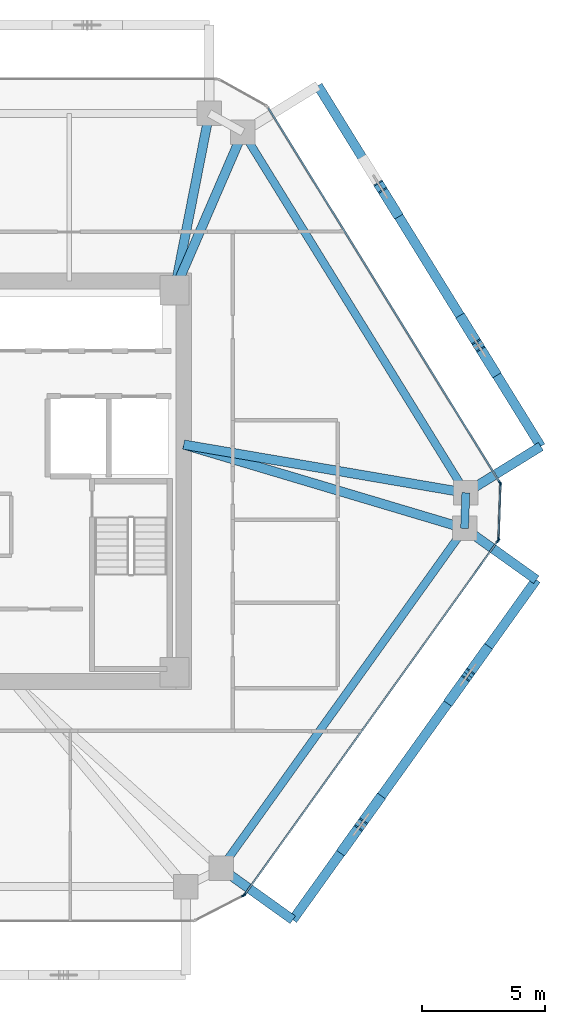
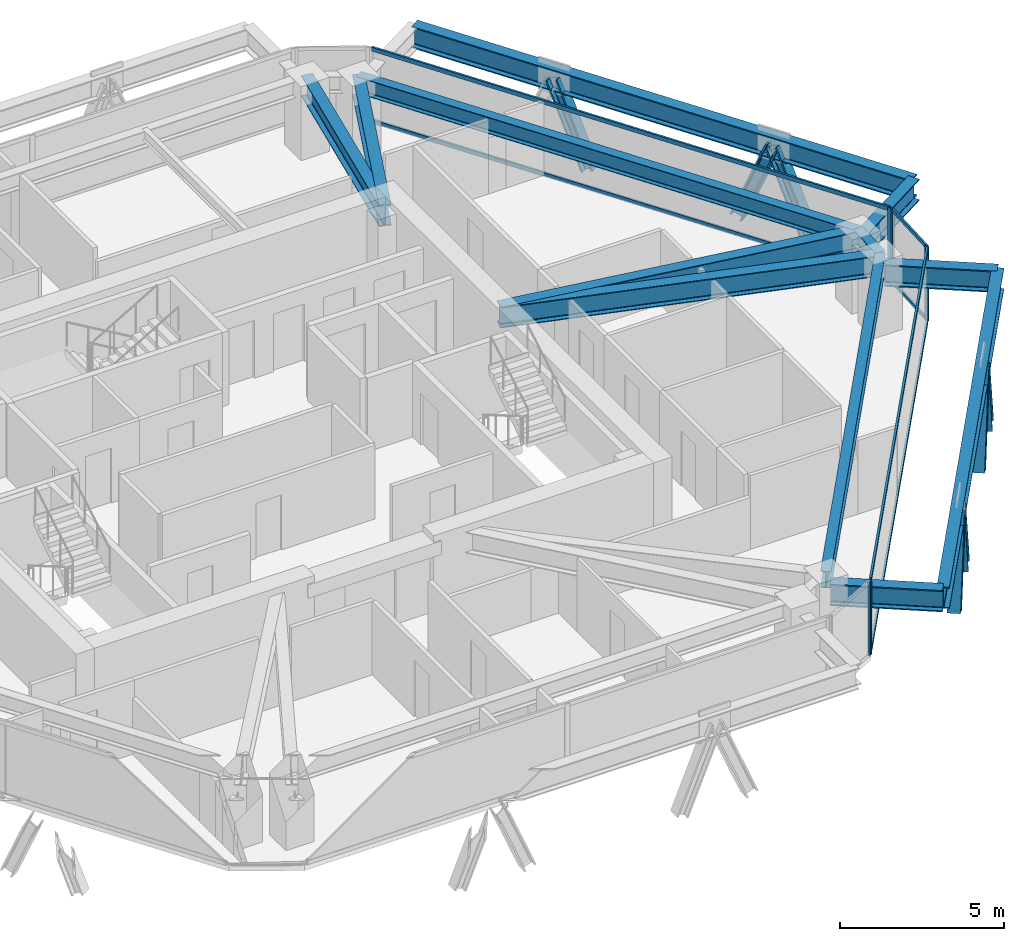
# One storey, part 5 of 14: 19 members, 12 beams, 4 elements without a shape of their own.
"""IFC4 building model written with IfcOpenShell, lengths in metres."""

from ifc_helpers import new_model, si_unit, direction, frame, origin, origin_2d, place, context, subcontext, project, spatial, rectangle, i_section, extrude, source, transform, mapped, material, layer, layer_set, material_profile, profile_set, type_object, type_shapes, element, aggregate, save


model = new_model("IFC4")

# Units and contexts
model_context = context("Model", 3, precision=1e-05, world=origin(), true_north=direction((0.0, 1.0)))
body_context = subcontext(model_context, "Body", "Model", "MODEL_VIEW")
ifc_project = project(units=[si_unit("LENGTHUNIT", "METRE"), si_unit("AREAUNIT", "SQUARE_METRE"), si_unit("VOLUMEUNIT", "CUBIC_METRE"), si_unit("PLANEANGLEUNIT", "RADIAN"), si_unit("MASSUNIT", "GRAM", prefix="KILO")], contexts=[model_context])

# Site, building, storey
site_placement = place(None, origin())
site = spatial("IfcSite", under=ifc_project, at=site_placement, CompositionType="ELEMENT")
building_placement = place(site_placement, origin())
building = spatial("IfcBuilding", under=site, at=building_placement, Name="Durnholm Broadcast Tower", CompositionType="ELEMENT")
storey_placement = place(building_placement, frame((0.0, 0.0, 200.199951171875)))
storey = spatial("IfcBuildingStorey", under=building, at=storey_placement, Name="L55", CompositionType="ELEMENT", Elevation=200.199951171875)

# Beams
ifc_material_1 = material(Name="Steel ASTM A992 Grade 50", Category="steel")
ifc_material_profile_1 = material_profile(ifc_material_1, i_section(OverallWidth=0.385009765625, OverallDepth=0.802978515625, WebThickness=0.023681640625, FlangeThickness=0.0419921875, FilletRadius=0.032958984375, at=origin_2d()), Name="W30X261")
ifc_profile_set_1 = profile_set([ifc_material_profile_1], Name="Steel ASTM A992 Grade 50")
beam_type_1 = type_object("IfcBeamType", Name="BM-EXO-TIE", PredefinedType="USERDEFINED", material=ifc_profile_set_1)
shared_shape_1 = source(origin(), body_context, "Body", "SweptSolid", [
    extrude(i_section(OverallWidth=0.385009765625, OverallDepth=0.802978515625, WebThickness=0.023681640625, FlangeThickness=0.0419921875, FilletRadius=0.032958984375, at=origin_2d()), origin(), (0.0, 0.0, 1.0), 3.4560546875),
])
for number, where, z_axis, x_axis, name in (
    (1, (11.81689453125, -15.884033203125, 2.008544921875), (0.813079048773, -0.582153296346, 0.0), (0.582153296346, 0.813079048773, 0.0), "L55 exoskeleton stand-off tie bracket F2.1"),
    (2, (21.7548828125, -2.00341796875, 2.008544921875), (0.813079048773, -0.582153296346, 0.0), (0.582153296346, 0.813079048773, 0.0), "L55 exoskeleton stand-off tie bracket F2.2"),
    (3, (21.8095703125, -0.3916015625, 2.008544921875), (0.850662348375, 0.525712439512, 0.0), (-0.525712439512, 0.850662348375, 0.0), "L55 exoskeleton stand-off tie bracket F3.1"),
):
    element("IfcBeam", number, at=place(storey_placement, frame(where, z_axis=z_axis, x_axis=x_axis)), inside=storey, type_object=beam_type_1, Name=name, ObjectType="GIRDER", PredefinedType="USERDEFINED", context=body_context, shape_type="MappedRepresentation", body=[
        mapped(shared_shape_1, transform((0.0, 0.0, 0.0), x_axis=(1.0, 0.0, 0.0), y_axis=(0.0, 1.0, 0.0), z_axis=(0.0, 0.0, 1.0), scale=1.0)),
    ])
ifc_material_profile_2 = material_profile(ifc_material_1, i_section(OverallWidth=0.3251953125, OverallDepth=0.6162109375, WebThickness=0.013916015625, FlangeThickness=0.021484375, FilletRadius=0.02783203125, at=origin_2d()), Name="W24X117")
ifc_profile_set_2 = profile_set([ifc_material_profile_2], Name="Steel ASTM A992 Grade 50")
beam_type_2 = type_object("IfcBeamType", Name="STL-SP-W24X117", PredefinedType="SPANDREL", material=ifc_profile_set_2)
shared_shape_2 = source(origin(), body_context, "Body", "SweptSolid", [
    extrude(i_section(OverallWidth=0.3251953125, OverallDepth=0.6162109375, WebThickness=0.013916015625, FlangeThickness=0.021484375, FilletRadius=0.02783203125, at=origin_2d()), origin(), (0.0, 0.0, 1.0), 17.30322265625),
])
beam_1_placement = place(storey_placement, frame((12.5908203125, 14.252197265625, 2.43701171875), z_axis=(0.525691424148, -0.850675335588, 0.0), x_axis=(0.850675335588, 0.525691424148, 0.0)))
element("IfcBeam", 4, at=beam_1_placement, inside=storey, type_object=beam_type_2, Name="L55 perimeter spandrel girder 07", PredefinedType="SPANDREL", context=body_context, shape_type="MappedRepresentation", body=[
    mapped(shared_shape_2, transform((0.0, 0.0, 0.0), x_axis=(1.0, 0.0, 0.0), y_axis=(0.0, 1.0, 0.0), z_axis=(0.0, 0.0, 1.0), scale=1.0)),
])
shared_shape_3 = source(origin(), body_context, "Body", "SweptSolid", [
    extrude(i_section(OverallWidth=0.3251953125, OverallDepth=0.6162109375, WebThickness=0.013916015625, FlangeThickness=0.021484375, FilletRadius=0.02783203125, at=origin_2d()), origin(), (0.0, 0.0, 1.0), 1.453125),
])
beam_2_placement = place(storey_placement, frame((21.68701171875, -0.46728515625, 2.43701171875), z_axis=(-0.033767922326, -0.99942970109, 0.0), x_axis=(0.99942970109, -0.033767922326, 0.0)))
element("IfcBeam", 5, at=beam_2_placement, inside=storey, type_object=beam_type_2, Name="L55 perimeter spandrel girder 08", PredefinedType="SPANDREL", context=body_context, shape_type="MappedRepresentation", body=[
    mapped(shared_shape_3, transform((0.0, 0.0, 0.0), x_axis=(1.0, 0.0, 0.0), y_axis=(0.0, 1.0, 0.0), z_axis=(0.0, 0.0, 1.0), scale=1.0)),
])
shared_shape_4 = source(origin(), body_context, "Body", "SweptSolid", [
    extrude(i_section(OverallWidth=0.3251953125, OverallDepth=0.6162109375, WebThickness=0.013916015625, FlangeThickness=0.021484375, FilletRadius=0.02783203125, at=origin_2d()), origin(), (0.0, 0.0, 1.0), 17.071533203125),
])
type_shapes(beam_type_2, [shared_shape_2, shared_shape_3, shared_shape_4])
beam_3_placement = place(storey_placement, frame((21.637939453125, -1.919677734375, 2.43701171875), z_axis=(-0.582149612352, -0.813081686449, 0.0), x_axis=(0.813081686449, -0.582149612352, 0.0)))
element("IfcBeam", 6, at=beam_3_placement, inside=storey, type_object=beam_type_2, Name="L55 perimeter spandrel girder 09", PredefinedType="SPANDREL", context=body_context, shape_type="MappedRepresentation", body=[
    mapped(shared_shape_4, transform((0.0, 0.0, 0.0), x_axis=(1.0, 0.0, 0.0), y_axis=(0.0, 1.0, 0.0), z_axis=(0.0, 0.0, 1.0), scale=1.0)),
])
ifc_material_profile_3 = material_profile(ifc_material_1, i_section(OverallWidth=0.380615234375, OverallDepth=0.773193359375, WebThickness=0.0166015625, FlangeThickness=0.027099609375, FilletRadius=0.032958984375, at=origin_2d()), Name="W30X173")
ifc_profile_set_3 = profile_set([ifc_material_profile_3], Name="Steel ASTM A992 Grade 50")
beam_type_3 = type_object("IfcBeamType", Name="STL-GR-W30X173", PredefinedType="USERDEFINED", material=ifc_profile_set_3)
shared_shape_5 = source(origin(), body_context, "Body", "SweptSolid", [
    extrude(i_section(OverallWidth=0.380615234375, OverallDepth=0.773193359375, WebThickness=0.0166015625, FlangeThickness=0.027099609375, FilletRadius=0.032958984375, at=origin_2d()), origin(), (0.0, 0.0, 1.0), 7.35595703125),
])
beam_4_placement = place(storey_placement, frame((9.800048828125, 7.800048828125, 2.3583984375), z_axis=(0.192700221893, 0.981257674865, 0.0), x_axis=(-0.981257674865, 0.192700221893, 0.0)))
element("IfcBeam", 7, at=beam_4_placement, inside=storey, type_object=beam_type_3, Name="L55 radial primary floor girder 06", ObjectType="GIRDER", PredefinedType="USERDEFINED", context=body_context, shape_type="MappedRepresentation", body=[
    mapped(shared_shape_5, transform((0.0, 0.0, 0.0), x_axis=(1.0, 0.0, 0.0), y_axis=(0.0, 1.0, 0.0), z_axis=(0.0, 0.0, 1.0), scale=1.0)),
])
shared_shape_6 = source(origin(), body_context, "Body", "SweptSolid", [
    extrude(i_section(OverallWidth=0.380615234375, OverallDepth=0.773193359375, WebThickness=0.0166015625, FlangeThickness=0.027099609375, FilletRadius=0.032958984375, at=origin_2d()), origin(), (0.0, 0.0, 1.0), 7.02978515625),
])
beam_5_placement = place(storey_placement, frame((9.800048828125, 7.800048828125, 2.3583984375), z_axis=(0.396989434191, 0.91782317967, 0.0), x_axis=(-0.91782317967, 0.396989434191, 0.0)))
element("IfcBeam", 8, at=beam_5_placement, inside=storey, type_object=beam_type_3, Name="L55 radial primary floor girder 07", ObjectType="GIRDER", PredefinedType="USERDEFINED", context=body_context, shape_type="MappedRepresentation", body=[
    mapped(shared_shape_6, transform((0.0, 0.0, 0.0), x_axis=(1.0, 0.0, 0.0), y_axis=(0.0, 1.0, 0.0), z_axis=(0.0, 0.0, 1.0), scale=1.0)),
])
shared_shape_7 = source(origin(), body_context, "Body", "SweptSolid", [
    extrude(i_section(OverallWidth=0.385009765625, OverallDepth=0.802978515625, WebThickness=0.023681640625, FlangeThickness=0.0419921875, FilletRadius=0.032958984375, at=origin_2d()), origin(), (0.0, 0.0, 1.0), 17.071533203125),
])
beam_6_placement = place(storey_placement, frame((14.626953125, -17.89599609375, 2.008544921875), z_axis=(0.582140157836, 0.813088455603, 0.0), x_axis=(-0.813088455603, 0.582140157836, 0.0)))
element("IfcBeam", 9, at=beam_6_placement, inside=storey, type_object=beam_type_1, Name="L55 exoskeleton collector spandrel F2", PredefinedType="SPANDREL", context=body_context, shape_type="MappedRepresentation", body=[
    mapped(shared_shape_7, transform((0.0, 0.0, 0.0), x_axis=(1.0, 0.0, 0.0), y_axis=(0.0, 1.0, 0.0), z_axis=(0.0, 0.0, 1.0), scale=1.0)),
])
shared_shape_8 = source(origin(), body_context, "Body", "SweptSolid", [
    extrude(i_section(OverallWidth=0.385009765625, OverallDepth=0.802978515625, WebThickness=0.023681640625, FlangeThickness=0.0419921875, FilletRadius=0.032958984375, at=origin_2d()), origin(), (0.0, 0.0, 1.0), 17.303466796875),
])
type_shapes(beam_type_1, [shared_shape_1, shared_shape_7, shared_shape_8])
beam_7_placement = place(storey_placement, frame((24.74951171875, 1.42529296875, 2.008544921875), z_axis=(-0.525701634347, 0.850669025911, 0.0), x_axis=(-0.850669025911, -0.525701634347, 0.0)))
element("IfcBeam", 10, at=beam_7_placement, inside=storey, type_object=beam_type_1, Name="L55 exoskeleton collector spandrel F3", PredefinedType="SPANDREL", context=body_context, shape_type="MappedRepresentation", body=[
    mapped(shared_shape_8, transform((0.0, 0.0, 0.0), x_axis=(1.0, 0.0, 0.0), y_axis=(0.0, 1.0, 0.0), z_axis=(0.0, 0.0, 1.0), scale=1.0)),
])
shared_shape_9 = source(origin(), body_context, "Body", "SweptSolid", [
    extrude(i_section(OverallWidth=0.380615234375, OverallDepth=0.773193359375, WebThickness=0.0166015625, FlangeThickness=0.027099609375, FilletRadius=0.032958984375, at=origin_2d()), origin(), (0.0, 0.0, 1.0), 11.678955078125),
])
beam_8_placement = place(storey_placement, frame((10.175048828125, 1.5, 2.3583984375), z_axis=(0.985710446264, -0.168448556317, 0.0), x_axis=(0.168448556317, 0.985710446264, 0.0)))
element("IfcBeam", 11, at=beam_8_placement, inside=storey, type_object=beam_type_3, Name="L55 radial primary floor girder 08", ObjectType="GIRDER", PredefinedType="USERDEFINED", context=body_context, shape_type="MappedRepresentation", body=[
    mapped(shared_shape_9, transform((0.0, 0.0, 0.0), x_axis=(1.0, 0.0, 0.0), y_axis=(0.0, 1.0, 0.0), z_axis=(0.0, 0.0, 1.0), scale=1.0)),
])
shared_shape_10 = source(origin(), body_context, "Body", "SweptSolid", [
    extrude(i_section(OverallWidth=0.380615234375, OverallDepth=0.773193359375, WebThickness=0.0166015625, FlangeThickness=0.027099609375, FilletRadius=0.032958984375, at=origin_2d()), origin(), (0.0, 0.0, 1.0), 11.962158203125),
])
type_shapes(beam_type_3, [shared_shape_5, shared_shape_6, shared_shape_9, shared_shape_10])
beam_9_placement = place(storey_placement, frame((10.175048828125, 1.5, 2.3583984375), z_axis=(0.958266673737, -0.285875815706, 0.0), x_axis=(0.285875815706, 0.958266673737, 0.0)))
element("IfcBeam", 12, at=beam_9_placement, inside=storey, type_object=beam_type_3, Name="L55 radial primary floor girder 09", ObjectType="GIRDER", PredefinedType="USERDEFINED", context=body_context, shape_type="MappedRepresentation", body=[
    mapped(shared_shape_10, transform((0.0, 0.0, 0.0), x_axis=(1.0, 0.0, 0.0), y_axis=(0.0, 1.0, 0.0), z_axis=(0.0, 0.0, 1.0), scale=1.0)),
])

# Members
ifc_material_2 = material(Name="Steel ASTM A913 Grade 65", Category="steel")
ifc_material_profile_4 = material_profile(ifc_material_2, i_section(OverallWidth=0.412109375, OverallDepth=0.434814453125, WebThickness=0.035888671875, FlangeThickness=0.057373046875, FilletRadius=0.030517578125, at=origin_2d()), Name="W14X311")
ifc_profile_set_4 = profile_set([ifc_material_profile_4], Name="Steel ASTM A913 Grade 65")
member_type_1 = type_object("IfcMemberType", Name="STL-DG-W14X311", PredefinedType="BRACE", material=ifc_profile_set_4)
shared_shape_11 = source(origin(), body_context, "Body", "SweptSolid", [
    extrude(i_section(OverallWidth=0.412109375, OverallDepth=0.434814453125, WebThickness=0.035888671875, FlangeThickness=0.057373046875, FilletRadius=0.030517578125, at=origin_2d()), origin(), (0.0, 0.0, 1.0), 3.24365234375),
])
for number, where, z_axis, x_axis, name in (
    (13, (22.50048828125, -6.898681640625, -0.991455078125), (-0.22135424125, -0.309263712104, 0.924855802953), (0.813171482985, -0.58202417412, 0.0), "L55 stand-off diagrid brace F2.D2.2"),
    (14, (21.553955078125, 6.59619140625, -0.991455078125), (0.199907251286, -0.323494490221, 0.924872102336), (0.85067825406, 0.525686701439, 0.0), "L55 stand-off diagrid brace F3.D1.2"),
    (15, (18.8486328125, 10.973876953125, -0.991455078125), (-0.199907251286, 0.323494490221, 0.924872102336), (-0.85067825406, -0.525686701439, 0.0), "L55 stand-off diagrid brace F3.D2.1"),
):
    element("IfcMember", number, at=place(storey_placement, frame(where, z_axis=z_axis, x_axis=x_axis)), inside=storey, type_object=member_type_1, Name=name, PredefinedType="BRACE", context=body_context, shape_type="MappedRepresentation", body=[
        mapped(shared_shape_11, transform((0.0, 0.0, 0.0), x_axis=(1.0, 0.0, 0.0), y_axis=(0.0, 1.0, 0.0), z_axis=(0.0, 0.0, 1.0), scale=1.0)),
    ])
shared_shape_12 = source(origin(), body_context, "Body", "SweptSolid", [
    extrude(i_section(OverallWidth=0.412109375, OverallDepth=0.434814453125, WebThickness=0.035888671875, FlangeThickness=0.057373046875, FilletRadius=0.030517578125, at=origin_2d()), origin(), (0.0, 0.0, 1.0), 3.243896484375),
])
type_shapes(member_type_1, [shared_shape_11, shared_shape_12])
for number, where, z_axis, x_axis, name in (
    (16, (16.69140625, -15.0126953125, -0.991455078125), (0.22142581661, 0.309258558956, 0.92484039242), (-0.813077820009, 0.582155012526, 0.0), "L55 stand-off diagrid brace F2.D1.1"),
    (17, (18.1279296875, -13.00634765625, -0.991455078125), (-0.22142581661, -0.309258558956, 0.92484039242), (0.813077820009, -0.582155012526, 0.0), "L55 stand-off diagrid brace F2.D1.2"),
    (18, (21.064208984375, -8.905029296875, -0.991455078125), (0.22142581661, 0.309258558956, 0.92484039242), (-0.813077820009, 0.582155012526, 0.0), "L55 stand-off diagrid brace F2.D2.1"),
    (19, (22.85107421875, 4.497314453125, -0.991455078125), (-0.199974638691, 0.323557008556, 0.924835664372), (-0.850644447398, -0.525741404219, 0.0), "L55 stand-off diagrid brace F3.D1.1"),
):
    element("IfcMember", number, at=place(storey_placement, frame(where, z_axis=z_axis, x_axis=x_axis)), inside=storey, type_object=member_type_1, Name=name, PredefinedType="BRACE", context=body_context, shape_type="MappedRepresentation", body=[
        mapped(shared_shape_12, transform((0.0, 0.0, 0.0), x_axis=(1.0, 0.0, 0.0), y_axis=(0.0, 1.0, 0.0), z_axis=(0.0, 0.0, 1.0), scale=1.0)),
    ])

# Curtain wall, members
ifc_material_3 = material(Name="Aluminium and Solar Control IGU", Category="aluminium")
ifc_layer_1 = layer(ifc_material_3, 0.1650390625)
ifc_layer_set_1 = layer_set([ifc_layer_1], Name="Aluminium and Solar Control IGU")
curtain_wall_type_1 = type_object("IfcCurtainWallType", Name="CW-SYS-5", PredefinedType="NOTDEFINED", material=ifc_layer_set_1)
curtain_wall_1_placement = place(storey_placement, origin())
curtain_wall_1 = element("IfcCurtainWall", 20, at=curtain_wall_1_placement, inside=storey, type_object=curtain_wall_type_1, Name="L55 curtain wall CW-CORNER CW-L55-CRN-07", PredefinedType="NOTDEFINED")
ifc_material_4 = material(Name="Aluminium 6063-T6", Category="aluminium")
ifc_material_profile_5 = material_profile(ifc_material_4, rectangle(XDim=0.06494140625, YDim=0.1650390625, at=origin_2d()), Name="CWM65X165")
ifc_profile_set_5 = profile_set([ifc_material_profile_5], Name="Aluminium 6063-T6")
member_type_2 = type_object("IfcMemberType", Name="CW-SYS-5-MUL", PredefinedType="MULLION", material=ifc_profile_set_5)
shared_shape_13 = source(origin(), body_context, "Body", "SweptSolid", [
    extrude(rectangle(XDim=0.06494140625, YDim=0.1650390625, at=origin_2d()), origin(), (0.0, 0.0, 1.0), 2.760009765625),
])
type_shapes(member_type_2, [shared_shape_13])
member_1_placement = place(storey_placement, frame((23.099609375, -0.1240234375, 0.0), z_axis=(0.0, 0.0, 1.0), x_axis=(0.999424798802, -0.033912704699, 0.0)))
member_1 = element("IfcMember", 21, at=member_1_placement, type_object=member_type_2, Name="CW-CORNER mullion 1", PredefinedType="MULLION", context=body_context, shape_type="MappedRepresentation", body=[
    mapped(shared_shape_13, transform((0.0, 0.0, 0.0), x_axis=(1.0, 0.0, 0.0), y_axis=(0.0, 1.0, 0.0), z_axis=(0.0, 0.0, 1.0), scale=1.0)),
])
member_2_placement = place(storey_placement, frame((23.023681640625, -2.35791015625, 0.0), z_axis=(0.0, 0.0, 1.0), x_axis=(0.999424798802, -0.033912704699, 0.0)))
member_2 = element("IfcMember", 22, at=member_2_placement, type_object=member_type_2, Name="CW-CORNER mullion 2", PredefinedType="MULLION", context=body_context, shape_type="MappedRepresentation", body=[
    mapped(shared_shape_13, transform((0.0, 0.0, 0.0), x_axis=(1.0, 0.0, 0.0), y_axis=(0.0, 1.0, 0.0), z_axis=(0.0, 0.0, 1.0), scale=1.0)),
])

# Curtain wall, member
curtain_wall_2_placement = place(storey_placement, origin())
curtain_wall_2 = element("IfcCurtainWall", 23, at=curtain_wall_2_placement, inside=storey, type_object=curtain_wall_type_1, Name="L55 curtain wall CW-CORNER CW-L55-CRN-09", PredefinedType="NOTDEFINED")
member_3_placement = place(storey_placement, frame((12.612060546875, -16.905517578125, 0.0), z_axis=(0.0, 0.0, 1.0), x_axis=(0.457081764476, -0.889424679545, 0.0)))
member_3 = element("IfcMember", 24, at=member_3_placement, type_object=member_type_2, Name="CW-CORNER mullion 1", PredefinedType="MULLION", context=body_context, shape_type="MappedRepresentation", body=[
    mapped(shared_shape_13, transform((0.0, 0.0, 0.0), x_axis=(1.0, 0.0, 0.0), y_axis=(0.0, 1.0, 0.0), z_axis=(0.0, 0.0, 1.0), scale=1.0)),
])
aggregate(curtain_wall_2, [member_3])

# Member
ifc_material_profile_6 = material_profile(ifc_material_4, rectangle(XDim=0.06494140625, YDim=0.1298828125, at=origin_2d()), Name="CWT65X130")
ifc_profile_set_6 = profile_set([ifc_material_profile_6], Name="Aluminium 6063-T6")
member_type_3 = type_object("IfcMemberType", Name="CW-SYS-5-TRN", PredefinedType="USERDEFINED", material=ifc_profile_set_6)
shared_shape_14 = source(origin(), body_context, "Body", "SweptSolid", [
    extrude(rectangle(XDim=0.06494140625, YDim=0.1298828125, at=origin_2d()), origin(), (0.0, 0.0, 1.0), 2.170166015625),
])
type_shapes(member_type_3, [shared_shape_14])
member_4_placement = place(storey_placement, frame((23.098388671875, -0.156494140625, 0.032470703125), z_axis=(-0.033861704743, -0.999426528041, 0.0), x_axis=(0.999426528041, -0.033861704743, 0.0)))
member_4 = element("IfcMember", 25, at=member_4_placement, type_object=member_type_3, Name="CW-CORNER transom 1.1", ObjectType="TRANSOM", PredefinedType="USERDEFINED", context=body_context, shape_type="MappedRepresentation", body=[
    mapped(shared_shape_14, transform((0.0, 0.0, 0.0), x_axis=(1.0, 0.0, 0.0), y_axis=(0.0, 1.0, 0.0), z_axis=(0.0, 0.0, 1.0), scale=1.0)),
])

member_5_placement = place(storey_placement, frame((23.098388671875, -0.156494140625, 2.7275390625), z_axis=(-0.033861704743, -0.999426528041, 0.0), x_axis=(0.999426528041, -0.033861704743, 0.0)))
member_5 = element("IfcMember", 26, at=member_5_placement, type_object=member_type_3, Name="CW-CORNER transom 1.2", ObjectType="TRANSOM", PredefinedType="USERDEFINED", context=body_context, shape_type="MappedRepresentation", body=[
    mapped(shared_shape_14, transform((0.0, 0.0, 0.0), x_axis=(1.0, 0.0, 0.0), y_axis=(0.0, 1.0, 0.0), z_axis=(0.0, 0.0, 1.0), scale=1.0)),
])

aggregate(curtain_wall_1, [member_1, member_2, member_4, member_5])

# Curtain wall, members
ifc_layer_2 = layer(ifc_material_3, 0.18994140625)
ifc_layer_set_2 = layer_set([ifc_layer_2], Name="Aluminium and Solar Control IGU")
curtain_wall_type_2 = type_object("IfcCurtainWallType", Name="CW-SYS-4", PredefinedType="NOTDEFINED", material=ifc_layer_set_2)
curtain_wall_3_placement = place(storey_placement, origin())
curtain_wall_3 = element("IfcCurtainWall", 27, at=curtain_wall_3_placement, inside=storey, type_object=curtain_wall_type_2, Name="L55 curtain wall CW-Z34-VIS CW-L55-F06", PredefinedType="NOTDEFINED")
ifc_material_profile_7 = material_profile(ifc_material_4, rectangle(XDim=0.070068359375, YDim=0.14990234375, at=origin_2d()), Name="CWT70X150")
ifc_profile_set_7 = profile_set([ifc_material_profile_7], Name="Aluminium 6063-T6")
member_type_4 = type_object("IfcMemberType", Name="CW-SYS-4-TRN", PredefinedType="USERDEFINED", material=ifc_profile_set_7)
shared_shape_15 = source(origin(), body_context, "Body", "SweptSolid", [
    extrude(rectangle(XDim=0.070068359375, YDim=0.14990234375, at=origin_2d()), origin(), (0.0, 0.0, 1.0), 17.950927734375),
])
member_6_placement = place(storey_placement, frame((13.627197265625, 15.23828125, 0.03515625), z_axis=(0.525699895853, -0.850670100274, 0.0), x_axis=(0.850670100274, 0.525699895853, 0.0)))
member_6 = element("IfcMember", 28, at=member_6_placement, type_object=member_type_4, Name="CW-Z34-VIS transom 1.1", ObjectType="TRANSOM", PredefinedType="USERDEFINED", context=body_context, shape_type="MappedRepresentation", body=[
    mapped(shared_shape_15, transform((0.0, 0.0, 0.0), x_axis=(1.0, 0.0, 0.0), y_axis=(0.0, 1.0, 0.0), z_axis=(0.0, 0.0, 1.0), scale=1.0)),
])
member_7_placement = place(storey_placement, frame((13.627197265625, 15.23828125, 2.72509765625), z_axis=(0.525699895853, -0.850670100274, 0.0), x_axis=(0.850670100274, 0.525699895853, 0.0)))
member_7 = element("IfcMember", 29, at=member_7_placement, type_object=member_type_4, Name="CW-Z34-VIS transom 1.2", ObjectType="TRANSOM", PredefinedType="USERDEFINED", context=body_context, shape_type="MappedRepresentation", body=[
    mapped(shared_shape_15, transform((0.0, 0.0, 0.0), x_axis=(1.0, 0.0, 0.0), y_axis=(0.0, 1.0, 0.0), z_axis=(0.0, 0.0, 1.0), scale=1.0)),
])

curtain_wall_4_placement = place(storey_placement, origin())
curtain_wall_4 = element("IfcCurtainWall", 30, at=curtain_wall_4_placement, inside=storey, type_object=curtain_wall_type_2, Name="L55 curtain wall CW-Z34-VIS CW-L55-F08", PredefinedType="NOTDEFINED")
shared_shape_16 = source(origin(), body_context, "Body", "SweptSolid", [
    extrude(rectangle(XDim=0.070068359375, YDim=0.14990234375, at=origin_2d()), origin(), (0.0, 0.0, 1.0), 17.693603515625),
])
type_shapes(member_type_4, [shared_shape_15, shared_shape_16])
member_8_placement = place(storey_placement, frame((22.98193359375, -2.447265625, 0.03515625), z_axis=(-0.582144969277, -0.813085010774, 0.0), x_axis=(0.813085010774, -0.582144969277, 0.0)))
member_8 = element("IfcMember", 31, at=member_8_placement, type_object=member_type_4, Name="CW-Z34-VIS transom 1.1", ObjectType="TRANSOM", PredefinedType="USERDEFINED", context=body_context, shape_type="MappedRepresentation", body=[
    mapped(shared_shape_16, transform((0.0, 0.0, 0.0), x_axis=(1.0, 0.0, 0.0), y_axis=(0.0, 1.0, 0.0), z_axis=(0.0, 0.0, 1.0), scale=1.0)),
])
member_9_placement = place(storey_placement, frame((22.98193359375, -2.447265625, 2.72509765625), z_axis=(-0.582144969277, -0.813085010774, 0.0), x_axis=(0.813085010774, -0.582144969277, 0.0)))
member_9 = element("IfcMember", 32, at=member_9_placement, type_object=member_type_4, Name="CW-Z34-VIS transom 1.2", ObjectType="TRANSOM", PredefinedType="USERDEFINED", context=body_context, shape_type="MappedRepresentation", body=[
    mapped(shared_shape_16, transform((0.0, 0.0, 0.0), x_axis=(1.0, 0.0, 0.0), y_axis=(0.0, 1.0, 0.0), z_axis=(0.0, 0.0, 1.0), scale=1.0)),
])

# Member
ifc_material_profile_8 = material_profile(ifc_material_4, rectangle(XDim=0.070068359375, YDim=0.18994140625, at=origin_2d()), Name="CWM70X190")
ifc_profile_set_8 = profile_set([ifc_material_profile_8], Name="Aluminium 6063-T6")
member_type_5 = type_object("IfcMemberType", Name="CW-SYS-4-MUL", PredefinedType="MULLION", material=ifc_profile_set_8)
shared_shape_17 = source(origin(), body_context, "Body", "SweptSolid", [
    extrude(rectangle(XDim=0.070068359375, YDim=0.18994140625, at=origin_2d()), origin(), (0.0, 0.0, 1.0), 2.760009765625),
])
type_shapes(member_type_5, [shared_shape_17])
member_10_placement = place(storey_placement, frame((23.082275390625, -0.061767578125, 0.0), z_axis=(0.0, 0.0, 1.0), x_axis=(0.850671426092, 0.525697750452, 0.0)))
member_10 = element("IfcMember", 33, at=member_10_placement, type_object=member_type_5, Name="CW-Z34-VIS mullion 2", PredefinedType="MULLION", context=body_context, shape_type="MappedRepresentation", body=[
    mapped(shared_shape_17, transform((0.0, 0.0, 0.0), x_axis=(1.0, 0.0, 0.0), y_axis=(0.0, 1.0, 0.0), z_axis=(0.0, 0.0, 1.0), scale=1.0)),
])

aggregate(curtain_wall_3, [member_10, member_6, member_7])

member_11_placement = place(storey_placement, frame((23.00244140625, -2.418701171875, 0.0), z_axis=(0.0, 0.0, 1.0), x_axis=(0.813089262696, -0.582139030549, 0.0)))
member_11 = element("IfcMember", 34, at=member_11_placement, type_object=member_type_5, Name="CW-Z34-VIS mullion 1", PredefinedType="MULLION", context=body_context, shape_type="MappedRepresentation", body=[
    mapped(shared_shape_17, transform((0.0, 0.0, 0.0), x_axis=(1.0, 0.0, 0.0), y_axis=(0.0, 1.0, 0.0), z_axis=(0.0, 0.0, 1.0), scale=1.0)),
])

member_12_placement = place(storey_placement, frame((12.661376953125, -16.8623046875, 0.0), z_axis=(0.0, 0.0, 1.0), x_axis=(0.813089262696, -0.582139030549, 0.0)))
member_12 = element("IfcMember", 35, at=member_12_placement, type_object=member_type_5, Name="CW-Z34-VIS mullion 2", PredefinedType="MULLION", context=body_context, shape_type="MappedRepresentation", body=[
    mapped(shared_shape_17, transform((0.0, 0.0, 0.0), x_axis=(1.0, 0.0, 0.0), y_axis=(0.0, 1.0, 0.0), z_axis=(0.0, 0.0, 1.0), scale=1.0)),
])

aggregate(curtain_wall_4, [member_11, member_12, member_8, member_9])

save(model, "model.ifc")
